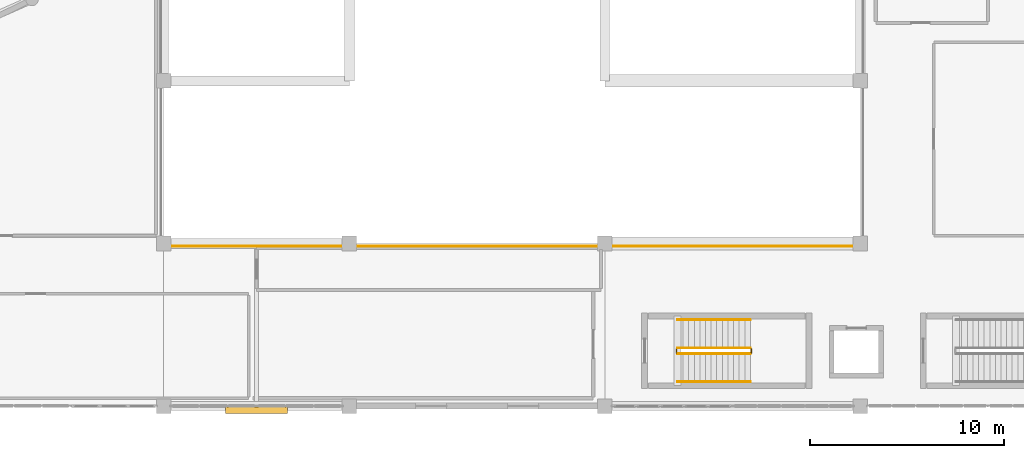
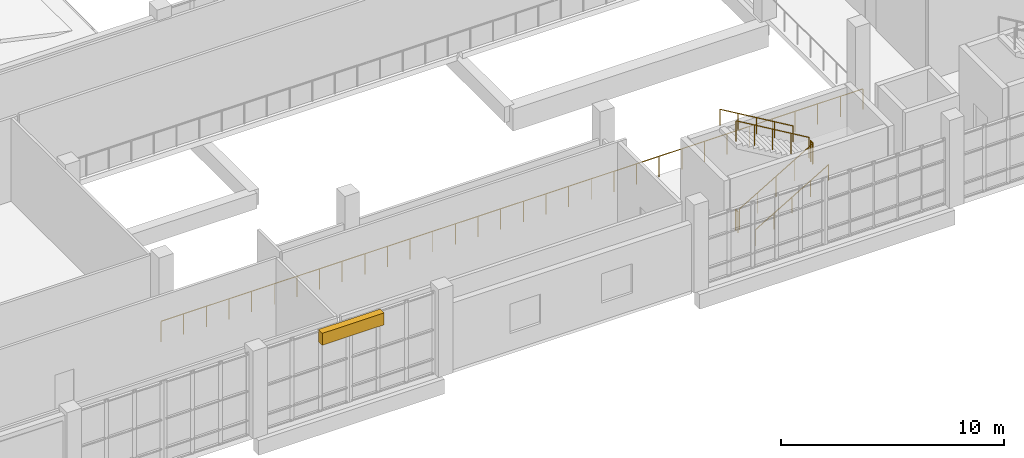
# One storey, part 102 of 106: 7 railings, 1 shading device.
"""IFC4 building model written with IfcOpenShell, lengths in metres."""

from ifc_helpers import new_model, si_unit, direction, frame, origin, origin_2d, place, context, subcontext, project, spatial, rectangle, circle, extrude, material, layer, layer_set, type_object, element, save


model = new_model("IFC4")

# Units and contexts
model_context = context("Model", 3, precision=1e-05, world=origin(), true_north=direction((0.0, 1.0)))
body_context = subcontext(model_context, "Body", "Model", "MODEL_VIEW")
ifc_project = project(units=[si_unit("LENGTHUNIT", "METRE"), si_unit("AREAUNIT", "SQUARE_METRE"), si_unit("VOLUMEUNIT", "CUBIC_METRE"), si_unit("PLANEANGLEUNIT", "RADIAN"), si_unit("MASSUNIT", "GRAM", prefix="KILO")], contexts=[model_context])

# Site, building, storey
site_placement = place(None, origin())
site = spatial("IfcSite", under=ifc_project, at=site_placement, CompositionType="ELEMENT")
building_placement = place(site_placement, origin())
building = spatial("IfcBuilding", under=site, at=building_placement, Name="Kisaragi Civic Commons", CompositionType="ELEMENT")
storey_placement = place(building_placement, frame((0.0, 0.0, 4.800048828125)))
storey = spatial("IfcBuildingStorey", under=building, at=storey_placement, Name="L01", CompositionType="ELEMENT", Elevation=4.800048828125)

# Railings
ifc_material_1 = material(Name="Powder-coated architectural steel and hinoki cap rail", Category="steel")
railing_type_1 = type_object("IfcRailingType", Name="GRD-I1", PredefinedType="GUARDRAIL", material=ifc_material_1)
railing_1_placement = place(storey_placement, frame((123.4599609375, 8.260009765625, 0.0)))
element("IfcRailing", 1, at=railing_1_placement, inside=storey, type_object=railing_type_1, Name="V3 L01 gallery void guardrail 9", PredefinedType="GUARDRAIL", context=body_context, shape_type="SweptSolid", body=[
    extrude(circle(Radius=0.02392578125, at=origin_2d()), frame((0.0, 0.0, 1.1259765625), z_axis=(1.0, 0.0, 0.0), x_axis=(0.0, 1.0, 0.0)), (0.0, 0.0, 1.0), 36.280029296875),
    extrude(circle(Radius=0.02099609375, at=origin_2d()), origin(), (0.0, 0.0, 1.0), 1.101806640625),
    extrude(circle(Radius=0.02099609375, at=origin_2d()), frame((1.17041015625, 0.0, 0.0)), (0.0, 0.0, 1.0), 1.101806640625),
    extrude(circle(Radius=0.02099609375, at=origin_2d()), frame((2.340576171875, 0.0, 0.0)), (0.0, 0.0, 1.0), 1.101806640625),
    extrude(circle(Radius=0.02099609375, at=origin_2d()), frame((3.510986328125, 0.0, 0.0)), (0.0, 0.0, 1.0), 1.101806640625),
    extrude(circle(Radius=0.02099609375, at=origin_2d()), frame((4.681396484375, 0.0, 0.0)), (0.0, 0.0, 1.0), 1.101806640625),
    extrude(circle(Radius=0.02099609375, at=origin_2d()), frame((5.8515625, 0.0, 0.0)), (0.0, 0.0, 1.0), 1.101806640625),
    extrude(circle(Radius=0.02099609375, at=origin_2d()), frame((7.02197265625, 0.0, 0.0)), (0.0, 0.0, 1.0), 1.101806640625),
    extrude(circle(Radius=0.02099609375, at=origin_2d()), frame((8.1923828125, 0.0, 0.0)), (0.0, 0.0, 1.0), 1.101806640625),
    extrude(circle(Radius=0.02099609375, at=origin_2d()), frame((9.362548828125, 0.0, 0.0)), (0.0, 0.0, 1.0), 1.101806640625),
    extrude(circle(Radius=0.02099609375, at=origin_2d()), frame((10.532958984375, 0.0, 0.0)), (0.0, 0.0, 1.0), 1.101806640625),
    extrude(circle(Radius=0.02099609375, at=origin_2d()), frame((11.703125, 0.0, 0.0)), (0.0, 0.0, 1.0), 1.101806640625),
    extrude(circle(Radius=0.02099609375, at=origin_2d()), frame((12.87353515625, 0.0, 0.0)), (0.0, 0.0, 1.0), 1.101806640625),
    extrude(circle(Radius=0.02099609375, at=origin_2d()), frame((14.0439453125, 0.0, 0.0)), (0.0, 0.0, 1.0), 1.101806640625),
    extrude(circle(Radius=0.02099609375, at=origin_2d()), frame((15.214111328125, 0.0, 0.0)), (0.0, 0.0, 1.0), 1.101806640625),
    extrude(circle(Radius=0.02099609375, at=origin_2d()), frame((16.384521484375, 0.0, 0.0)), (0.0, 0.0, 1.0), 1.101806640625),
    extrude(circle(Radius=0.02099609375, at=origin_2d()), frame((17.554931640625, 0.0, 0.0)), (0.0, 0.0, 1.0), 1.101806640625),
    extrude(circle(Radius=0.02099609375, at=origin_2d()), frame((18.72509765625, 0.0, 0.0)), (0.0, 0.0, 1.0), 1.101806640625),
    extrude(circle(Radius=0.02099609375, at=origin_2d()), frame((19.8955078125, 0.0, 0.0)), (0.0, 0.0, 1.0), 1.101806640625),
    extrude(circle(Radius=0.02099609375, at=origin_2d()), frame((21.06591796875, 0.0, 0.0)), (0.0, 0.0, 1.0), 1.101806640625),
    extrude(circle(Radius=0.02099609375, at=origin_2d()), frame((22.236083984375, 0.0, 0.0)), (0.0, 0.0, 1.0), 1.101806640625),
    extrude(circle(Radius=0.02099609375, at=origin_2d()), frame((23.406494140625, 0.0, 0.0)), (0.0, 0.0, 1.0), 1.101806640625),
    extrude(circle(Radius=0.02099609375, at=origin_2d()), frame((24.576904296875, 0.0, 0.0)), (0.0, 0.0, 1.0), 1.101806640625),
    extrude(circle(Radius=0.02099609375, at=origin_2d()), frame((25.7470703125, 0.0, 0.0)), (0.0, 0.0, 1.0), 1.101806640625),
    extrude(circle(Radius=0.02099609375, at=origin_2d()), frame((26.91748046875, 0.0, 0.0)), (0.0, 0.0, 1.0), 1.101806640625),
    extrude(circle(Radius=0.02099609375, at=origin_2d()), frame((28.087646484375, 0.0, 0.0)), (0.0, 0.0, 1.0), 1.101806640625),
    extrude(circle(Radius=0.02099609375, at=origin_2d()), frame((29.258056640625, 0.0, 0.0)), (0.0, 0.0, 1.0), 1.101806640625),
    extrude(circle(Radius=0.02099609375, at=origin_2d()), frame((30.428466796875, 0.0, 0.0)), (0.0, 0.0, 1.0), 1.101806640625),
    extrude(circle(Radius=0.02099609375, at=origin_2d()), frame((31.5986328125, 0.0, 0.0)), (0.0, 0.0, 1.0), 1.101806640625),
    extrude(circle(Radius=0.02099609375, at=origin_2d()), frame((32.76904296875, 0.0, 0.0)), (0.0, 0.0, 1.0), 1.101806640625),
    extrude(circle(Radius=0.02099609375, at=origin_2d()), frame((33.939453125, 0.0, 0.0)), (0.0, 0.0, 1.0), 1.101806640625),
    extrude(circle(Radius=0.02099609375, at=origin_2d()), frame((35.109619140625, 0.0, 0.0)), (0.0, 0.0, 1.0), 1.101806640625),
    extrude(circle(Radius=0.02099609375, at=origin_2d()), frame((36.280029296875, 0.0, 0.0)), (0.0, 0.0, 1.0), 1.101806640625),
])
railing_type_2 = type_object("IfcRailingType", Name="GRD-S1", PredefinedType="GUARDRAIL", material=ifc_material_1)
railing_2_placement = place(storey_placement, frame((150.14990234375, 2.699951171875, 0.17138671875)))
element("IfcRailing", 2, at=railing_2_placement, inside=storey, type_object=railing_type_2, Name="L01 ST-D1 stair guard 1", PredefinedType="GUARDRAIL", context=body_context, shape_type="SweptSolid", body=[
    extrude(circle(Radius=0.02392578125, at=origin_2d()), frame((0.0, 0.0, 1.1259765625), z_axis=(0.860848830602, 0.0, 0.508860777473), x_axis=(0.0, 1.0, 0.0)), (0.0, 0.0, 1.0), 4.37939453125),
    extrude(circle(Radius=0.02099609375, at=origin_2d()), origin(), (0.0, 0.0, 1.0), 1.101806640625),
    extrude(circle(Radius=0.02099609375, at=origin_2d()), frame((0.9423828125, 0.0, 0.55712890625)), (0.0, 0.0, 1.0), 1.101806640625),
    extrude(circle(Radius=0.02099609375, at=origin_2d()), frame((1.885009765625, 0.0, 1.1142578125)), (0.0, 0.0, 1.0), 1.101806640625),
    extrude(circle(Radius=0.02099609375, at=origin_2d()), frame((2.82763671875, 0.0, 1.67138671875)), (0.0, 0.0, 1.0), 1.101806640625),
    extrude(circle(Radius=0.02099609375, at=origin_2d()), frame((3.77001953125, 0.0, 2.228515625)), (0.0, 0.0, 1.0), 1.101806640625),
])
railing_3_placement = place(storey_placement, frame((153.969970703125, 2.75, 2.39990234375)))
element("IfcRailing", 3, at=railing_3_placement, inside=storey, type_object=railing_type_2, Name="L01 ST-D1 stair guard 2", PredefinedType="GUARDRAIL", context=body_context, shape_type="SweptSolid", body=[
    extrude(circle(Radius=0.02392578125, at=origin_2d()), frame((0.0, 0.0, 1.1259765625), z_axis=(0.0, 1.0, 0.0), x_axis=(-1.0, 0.0, 0.0)), (0.0, 0.0, 1.0), 0.199951171875),
    extrude(circle(Radius=0.02099609375, at=origin_2d()), origin(), (0.0, 0.0, 1.0), 1.101806640625),
    extrude(circle(Radius=0.02099609375, at=origin_2d()), frame((0.0, 0.199951171875, 0.0)), (0.0, 0.0, 1.0), 1.101806640625),
])
railing_4_placement = place(storey_placement, frame((153.919921875, 3.0, 2.5712890625)))
element("IfcRailing", 4, at=railing_4_placement, inside=storey, type_object=railing_type_2, Name="L01 ST-D1 stair guard 3", PredefinedType="GUARDRAIL", context=body_context, shape_type="SweptSolid", body=[
    extrude(circle(Radius=0.02392578125, at=origin_2d()), frame((0.0, 0.0, 1.1259765625), z_axis=(-0.860824410104, 0.0, 0.508902087802), x_axis=(0.0, -1.0, 0.0)), (0.0, 0.0, 1.0), 4.379638671875),
    extrude(circle(Radius=0.02099609375, at=origin_2d()), origin(), (0.0, 0.0, 1.0), 1.101806640625),
    extrude(circle(Radius=0.02099609375, at=origin_2d()), frame((-0.9423828125, 0.0, 0.55712890625)), (0.0, 0.0, 1.0), 1.101806640625),
    extrude(circle(Radius=0.02099609375, at=origin_2d()), frame((-1.885009765625, 0.0, 1.1142578125)), (0.0, 0.0, 1.0), 1.101806640625),
    extrude(circle(Radius=0.02099609375, at=origin_2d()), frame((-2.82763671875, 0.0, 1.671630859375)), (0.0, 0.0, 1.0), 1.101806640625),
    extrude(circle(Radius=0.02099609375, at=origin_2d()), frame((-3.77001953125, 0.0, 2.228759765625)), (0.0, 0.0, 1.0), 1.101806640625),
])
railing_5_placement = place(storey_placement, frame((150.10009765625, 2.75, 0.0)))
element("IfcRailing", 5, at=railing_5_placement, inside=storey, type_object=railing_type_2, Name="L01 ST-D1 stair guard 4", PredefinedType="GUARDRAIL", context=body_context, shape_type="SweptSolid", body=[
    extrude(circle(Radius=0.02392578125, at=origin_2d()), frame((0.0, 0.0, 1.1259765625), z_axis=(0.0, 1.0, 0.0), x_axis=(-1.0, 0.0, 0.0)), (0.0, 0.0, 1.0), 0.199951171875),
    extrude(circle(Radius=0.02099609375, at=origin_2d()), origin(), (0.0, 0.0, 1.0), 1.101806640625),
    extrude(circle(Radius=0.02099609375, at=origin_2d()), frame((0.0, 0.199951171875, 0.0)), (0.0, 0.0, 1.0), 1.101806640625),
])
railing_type_3 = type_object("IfcRailingType", Name="HRL-01", PredefinedType="HANDRAIL", material=ifc_material_1)
railing_6_placement = place(storey_placement, frame((150.14990234375, 1.25, 0.17138671875)))
element("IfcRailing", 6, at=railing_6_placement, inside=storey, type_object=railing_type_3, Name="L01 ST-D1 stair handrail 1", PredefinedType="HANDRAIL", context=body_context, shape_type="SweptSolid", body=[
    extrude(circle(Radius=0.02392578125, at=origin_2d()), frame((0.0, 0.0, 0.8759765625), z_axis=(0.860848830602, 0.0, 0.508860777473), x_axis=(0.0, 1.0, 0.0)), (0.0, 0.0, 1.0), 4.37939453125),
    extrude(circle(Radius=0.02099609375, at=origin_2d()), origin(), (0.0, 0.0, 1.0), 0.851806640625),
    extrude(circle(Radius=0.02099609375, at=origin_2d()), frame((0.9423828125, 0.0, 0.55712890625)), (0.0, 0.0, 1.0), 0.851806640625),
    extrude(circle(Radius=0.02099609375, at=origin_2d()), frame((1.885009765625, 0.0, 1.1142578125)), (0.0, 0.0, 1.0), 0.851806640625),
    extrude(circle(Radius=0.02099609375, at=origin_2d()), frame((2.82763671875, 0.0, 1.67138671875)), (0.0, 0.0, 1.0), 0.851806640625),
    extrude(circle(Radius=0.02099609375, at=origin_2d()), frame((3.77001953125, 0.0, 2.228515625)), (0.0, 0.0, 1.0), 0.851806640625),
])
railing_7_placement = place(storey_placement, frame((153.919921875, 4.449951171875, 2.5712890625)))
element("IfcRailing", 7, at=railing_7_placement, inside=storey, type_object=railing_type_3, Name="L01 ST-D1 stair handrail 2", PredefinedType="HANDRAIL", context=body_context, shape_type="SweptSolid", body=[
    extrude(circle(Radius=0.02392578125, at=origin_2d()), frame((0.0, 0.0, 0.8759765625), z_axis=(-0.860824410104, 0.0, 0.508902087802), x_axis=(0.0, -1.0, 0.0)), (0.0, 0.0, 1.0), 4.379638671875),
    extrude(circle(Radius=0.02099609375, at=origin_2d()), origin(), (0.0, 0.0, 1.0), 0.851806640625),
    extrude(circle(Radius=0.02099609375, at=origin_2d()), frame((-0.9423828125, 0.0, 0.55712890625)), (0.0, 0.0, 1.0), 0.851806640625),
    extrude(circle(Radius=0.02099609375, at=origin_2d()), frame((-1.885009765625, 0.0, 1.1142578125)), (0.0, 0.0, 1.0), 0.851806640625),
    extrude(circle(Radius=0.02099609375, at=origin_2d()), frame((-2.82763671875, 0.0, 1.671630859375)), (0.0, 0.0, 1.0), 0.851806640625),
    extrude(circle(Radius=0.02099609375, at=origin_2d()), frame((-3.77001953125, 0.0, 2.228759765625)), (0.0, 0.0, 1.0), 0.851806640625),
])

# Shading device
ifc_material_2 = material(Name="Extruded Tokoname terracotta sun-louvre blade", Category="masonry")
ifc_layer = layer(ifc_material_2, 0.64990234375, Name="Extruded Tokoname terracotta sun-louvre blade", Category="masonry")
ifc_layer_set = layer_set([ifc_layer], Name="Extruded Tokoname terracotta sun-louvre blade")
shading_device_type = type_object("IfcShadingDeviceType", Name="SHD-01", PredefinedType="JALOUSIE", material=ifc_layer_set)
shading_device_placement = place(storey_placement, frame((128.39990234375, -0.215087890625, 3.889892578125), z_axis=(0.0, 0.0, 1.0), x_axis=(-1.0, 0.0, 0.0)))
element("IfcShadingDevice", 8, at=shading_device_placement, inside=storey, type_object=shading_device_type, Name="V3 L01 terracotta sun-louvre 5", PredefinedType="JALOUSIE", context=body_context, shape_type="SweptSolid", body=[
    extrude(rectangle(XDim=3.199951171875, YDim=0.35009765625, at=origin_2d()), origin(), (0.0, 0.0, 1.0), 0.64990234375),
])

save(model, "model.ifc")
